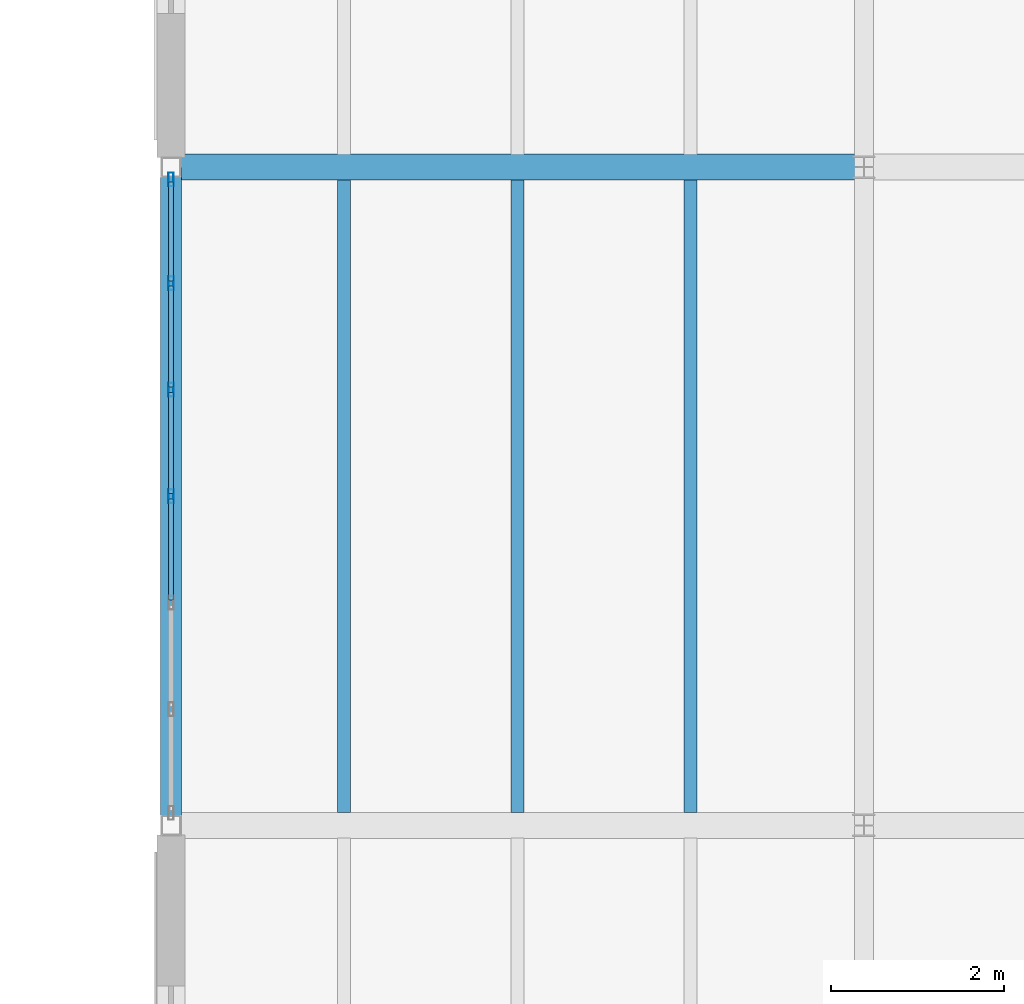
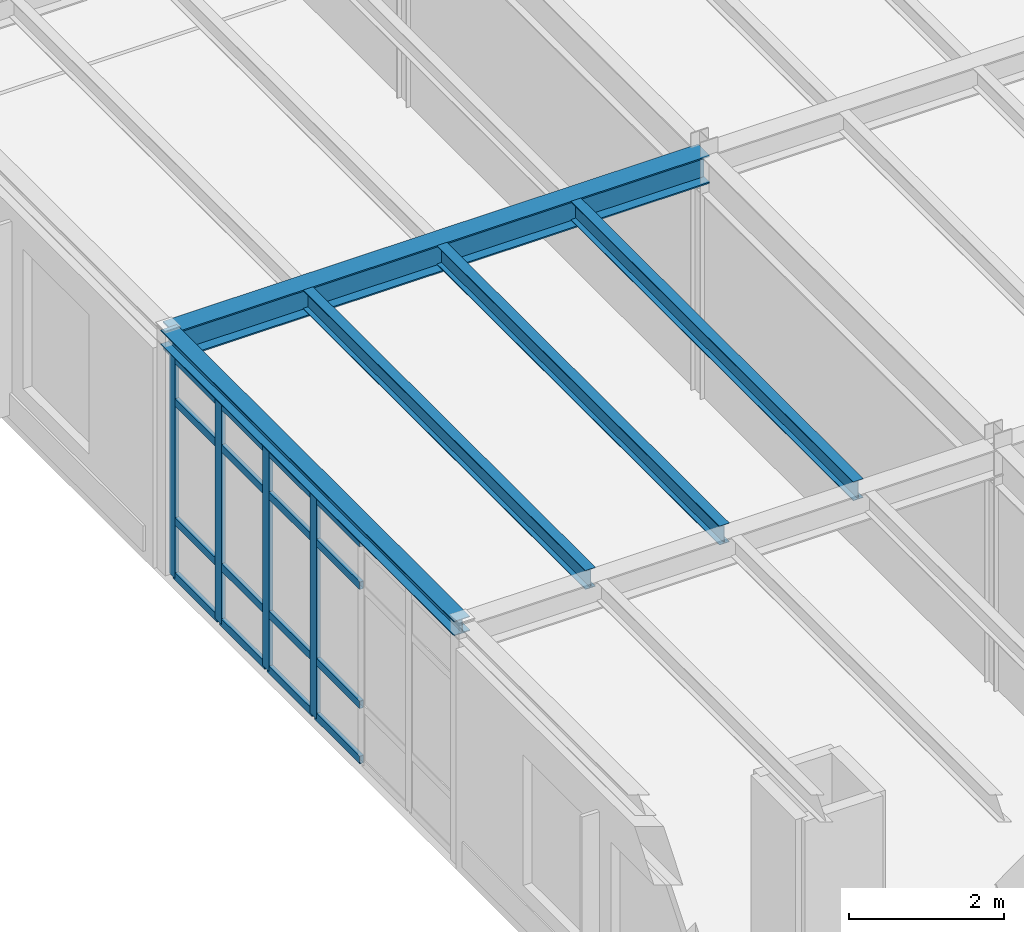
# One storey, part 55 of 114: 20 members, 5 beams, 1 element without a shape of its own.
"""IFC4 building model written with IfcOpenShell, lengths in metres."""

import ifcopenshell
import ifcopenshell.guid

model = None  # the IFC model being written
_history = None  # IfcOwnerHistory: only IFC2X3 demands one
_inside = {}  # id of a spatial element -> (the spatial element, [elements in it])
_under = {}  # id of a project, library or spatial element -> (it, [spatial elements below it])
_declared = {}  # id of a project -> (the project, [libraries it declares])
_typed = {}  # id of a type object -> (the type object, [elements of that type])
_made_of = {}  # id of a material, layer set ... -> (it, [elements and type objects made of it])


def new_model(schema):
    """Start an empty IFC model of exactly this schema.

    Asked for "IFC4X3", IfcOpenShell would pick the latest addendum, in which some entities
    have other attributes; the version numbers below select the first issue.
    IFC2X3 requires an IfcOwnerHistory on every rooted entity: one is made here for all.
    """
    global model, _history
    if schema == "IFC4X3":
        model = ifcopenshell.file(schema_version=(4, 3, 0, 0))
    else:
        model = ifcopenshell.file(schema=schema)
    _inside.clear()
    _under.clear()
    _declared.clear()
    _typed.clear()
    _made_of.clear()
    _history = None
    if model.schema == "IFC2X3":
        org = make("IfcOrganization", Name="unknown")
        user = make(
            "IfcPersonAndOrganization",
            ThePerson=make("IfcPerson", FamilyName="unknown"),
            TheOrganization=org,
        )
        app = make(
            "IfcApplication",
            ApplicationDeveloper=org,
            Version="unknown",
            ApplicationFullName="unknown",
            ApplicationIdentifier="unknown",
        )
        _history = make(
            "IfcOwnerHistory",
            OwningUser=user,
            OwningApplication=app,
            ChangeAction="ADDED",
            CreationDate=0,
        )
    return model


def make(cls, **values):
    """One entity of the class cls with the attributes given. An attribute that is None is left unset."""
    return model.create_entity(
        cls, **{name: value for name, value in values.items() if value is not None}
    )


def rooted(cls, **values):
    """An entity with a GlobalId (a new one), such as an element, a storey or a relation."""
    return make(cls, GlobalId=ifcopenshell.guid.new(), OwnerHistory=_history, **values)


def si_unit(unit_type, name, prefix=None):
    """IfcSIUnit, for example si_unit("LENGTHUNIT", "METRE", prefix="MILLI")."""
    return make("IfcSIUnit", UnitType=unit_type, Prefix=prefix, Name=name)


def assignment(units):
    """IfcUnitAssignment: the units of a project."""
    return None if units is None else make("IfcUnitAssignment", Units=units)


def point(xyz):
    """IfcCartesianPoint."""
    return None if xyz is None else make("IfcCartesianPoint", Coordinates=xyz)


def direction(xyz):
    """IfcDirection."""
    return None if xyz is None else make("IfcDirection", DirectionRatios=xyz)


def frame(location, z_axis=None, x_axis=None):
    """IfcAxis2Placement3D, a coordinate frame: its origin and axes. An axis left out is left unset."""
    return make(
        "IfcAxis2Placement3D",
        Location=point(location),
        Axis=direction(z_axis),
        RefDirection=direction(x_axis),
    )


def frame_2d(location, x_axis=None):
    """IfcAxis2Placement2D, a coordinate frame in the plane: its origin and x axis."""
    return make(
        "IfcAxis2Placement2D", Location=point(location), RefDirection=direction(x_axis)
    )


def origin():
    """The frame at (0, 0, 0) with its axes left unset."""
    return frame((0.0, 0.0, 0.0))


def origin_2d():
    """The frame at (0, 0) in the plane with its x axis left unset."""
    return frame_2d((0.0, 0.0))


def place(relative_to, where):
    """IfcLocalPlacement: puts the frame where relative to a parent placement (None: the world)."""
    return make(
        "IfcLocalPlacement", PlacementRelTo=relative_to, RelativePlacement=where
    )


def context(
    kind, dimensions, precision=None, world=None, true_north=None, identifier=None
):
    """IfcGeometricRepresentationContext, for example the 3D "Model" context."""
    return make(
        "IfcGeometricRepresentationContext",
        ContextIdentifier=identifier,
        ContextType=kind,
        CoordinateSpaceDimension=dimensions,
        Precision=precision,
        WorldCoordinateSystem=world,
        TrueNorth=true_north,
    )


def subcontext(parent, identifier, kind, view, scale=None):
    """IfcGeometricRepresentationSubContext, for example "Body" below "Model"."""
    return make(
        "IfcGeometricRepresentationSubContext",
        ContextIdentifier=identifier,
        ContextType=kind,
        ParentContext=parent,
        TargetScale=scale,
        TargetView=view,
    )


def project(units=None, contexts=None):
    """IfcProject with its units and contexts."""
    return rooted(
        "IfcProject",
        Name="project",
        RepresentationContexts=contexts,
        UnitsInContext=assignment(units),
    )


def spatial(cls, under=None, at=None, **own):
    """A site, building, storey or space (cls), placed at a placement, below another one or the project."""
    s = rooted(cls, ObjectPlacement=at, **own)
    if under is not None:
        _under.setdefault(under.id(), (under, []))[1].append(s)
    return s


def profile(cls, at=None, kind="AREA", **sizes):
    """A parametric profile (cls). Its sizes go by their IFC names, for example OverallWidth=200.0."""
    return make(cls, ProfileType=kind, Position=at, **sizes)


def hollow_rectangle(**sizes):
    """IfcRectangleHollowProfileDef."""
    return profile("IfcRectangleHollowProfileDef", **sizes)


def i_section(**sizes):
    """IfcIShapeProfileDef."""
    return profile("IfcIShapeProfileDef", **sizes)


def extrude(swept, where, along, depth):
    """IfcExtrudedAreaSolid: the profile swept, set in the frame where, extruded along a direction by depth."""
    return make(
        "IfcExtrudedAreaSolid",
        SweptArea=swept,
        Position=where,
        ExtrudedDirection=direction(along),
        Depth=depth,
    )


def shape(context_of_items, identifier, shape_type, items):
    """IfcShapeRepresentation: the items that make up one representation, for example the "Body"."""
    return make(
        "IfcShapeRepresentation",
        ContextOfItems=context_of_items,
        RepresentationIdentifier=identifier,
        RepresentationType=shape_type,
        Items=items,
    )


def material(Name=None, Category=None):
    """IfcMaterial."""
    return make("IfcMaterial", Name=Name, Category=Category)


def layer(
    of_material, thickness, ventilated=None, Name=None, Category=None, Priority=None
):
    """IfcMaterialLayer: one layer of a wall or slab, of a material (None: an air gap)."""
    return make(
        "IfcMaterialLayer",
        Material=of_material,
        LayerThickness=thickness,
        IsVentilated=ventilated,
        Name=Name,
        Category=Category,
        Priority=Priority,
    )


def layer_set(layers, Name=None):
    """IfcMaterialLayerSet."""
    return make("IfcMaterialLayerSet", MaterialLayers=layers, LayerSetName=Name)


def material_profile(
    of_material, cross_section, Name=None, Category=None, Priority=None
):
    """IfcMaterialProfile: a cross section and its material."""
    return make(
        "IfcMaterialProfile",
        Name=Name,
        Material=of_material,
        Profile=cross_section,
        Priority=Priority,
        Category=Category,
    )


def profile_set(profiles, Name=None, composite=None):
    """IfcMaterialProfileSet."""
    return make(
        "IfcMaterialProfileSet",
        Name=Name,
        MaterialProfiles=profiles,
        CompositeProfile=composite,
    )


def made_of(thing, what):
    """Note that an element or type object is made of a material, layer set ...; save() writes the relation."""
    if what is not None:
        _made_of.setdefault(what.id(), (what, []))[1].append(thing)
    return thing


def type_object(cls, material=None, **own):
    """A type object (cls), such as IfcWallType, which elements share."""
    return made_of(rooted(cls, **own), material)


def element(
    cls,
    number,
    at=None,
    inside=None,
    cuts=None,
    type_object=None,
    material=None,
    context=None,
    identifier="Body",
    shape_type=None,
    held_by="IfcProductDefinitionShape",
    body=None,
    shapes=None,
    **own,
):
    """One element of the class cls, such as IfcWall. Its Tag is "e" and its number.

    at: its placement. inside: the storey or other place that contains it. cuts: it is an
    opening in that element (IfcRelVoidsElement). A single representation is given by context,
    identifier, shape_type and body (its items); several are given by shapes. held_by: the class
    of the entity that holds the representations. save() writes the other relations.
    """
    e = rooted(cls, Tag="e%d" % number, ObjectPlacement=at, **own)
    if body is not None:
        shapes = [shape(context, identifier, shape_type, body)]
    if shapes is not None:
        e.Representation = make(held_by, Representations=shapes)
    if inside is not None:
        _inside.setdefault(inside.id(), (inside, []))[1].append(e)
    if cuts is not None:
        rooted(
            "IfcRelVoidsElement", RelatingBuildingElement=cuts, RelatedOpeningElement=e
        )
    if type_object is not None:
        _typed.setdefault(type_object.id(), (type_object, []))[1].append(e)
    return made_of(e, material)


def aggregate(whole, parts):
    """IfcRelAggregates: a whole, such as a stair, and the parts it consists of."""
    return rooted("IfcRelAggregates", RelatingObject=whole, RelatedObjects=parts)


def save(model, path):
    """Write the relations noted so far, then the file.

    IfcRelAggregates (storeys below a building ...), IfcRelContainedInSpatialStructure (elements
    in a storey), IfcRelDefinesByType, IfcRelAssociatesMaterial and IfcRelDeclares: one each for
    every whole, place, type object, material and project.
    """
    for whole, parts in _under.values():
        aggregate(whole, parts)
    for where, things in _inside.values():
        rooted(
            "IfcRelContainedInSpatialStructure",
            RelatedElements=things,
            RelatingStructure=where,
        )
    for kind, things in _typed.values():
        rooted("IfcRelDefinesByType", RelatedObjects=things, RelatingType=kind)
    for what, things in _made_of.values():
        rooted("IfcRelAssociatesMaterial", RelatedObjects=things, RelatingMaterial=what)
    for by, libraries in _declared.values():
        rooted("IfcRelDeclares", RelatingContext=by, RelatedDefinitions=libraries)
    model.write(path)


model = new_model("IFC4")

# Units and contexts
model_context = context("Model", 3, precision=1e-05, world=origin(), true_north=direction((0.0, 1.0)))
body_context = subcontext(model_context, "Body", "Model", "MODEL_VIEW")
ifc_project = project(units=[si_unit("LENGTHUNIT", "METRE"), si_unit("AREAUNIT", "SQUARE_METRE"), si_unit("VOLUMEUNIT", "CUBIC_METRE"), si_unit("PLANEANGLEUNIT", "RADIAN"), si_unit("MASSUNIT", "GRAM", prefix="KILO")], contexts=[model_context])

# Site, building, storey
site_placement = place(None, origin())
site = spatial("IfcSite", under=ifc_project, at=site_placement, CompositionType="ELEMENT")
building_placement = place(site_placement, origin())
building = spatial("IfcBuilding", under=site, at=building_placement, Name="Montecoro Central Library", CompositionType="ELEMENT")
storey_placement = place(building_placement, frame((0.0, 0.0, 13.260009765625)))
storey = spatial("IfcBuildingStorey", under=building, at=storey_placement, Name="L03", CompositionType="ELEMENT", Elevation=13.260009765625)

# Beams
ifc_material_1 = material(Name="Steel S355J2", Category="steel")
ifc_material_profile_1 = material_profile(ifc_material_1, i_section(OverallWidth=0.300048828125, OverallDepth=0.43994140625, WebThickness=0.011474609375, FlangeThickness=0.02099609375, at=origin_2d()), Name="HEA 450")
ifc_profile_set_1 = profile_set([ifc_material_profile_1], Name="Steel S355J2")
beam_type_1 = type_object("IfcBeamType", Name="BM-G-HEA450", PredefinedType="USERDEFINED", material=ifc_profile_set_1)
beam_1_placement = place(storey_placement, frame((141.0048828125, 20.199951171875, 3.60498046875), z_axis=(1.0, 0.0, 0.0), x_axis=(0.0, 1.0, 0.0)))
element("IfcBeam", 1, at=beam_1_placement, inside=storey, type_object=beam_type_1, Name="V6-L03-BX-1819-C", ObjectType="GIRDER", PredefinedType="USERDEFINED", context=body_context, shape_type="SweptSolid", body=[
    extrude(i_section(OverallWidth=0.300048828125, OverallDepth=0.43994140625, WebThickness=0.011474609375, FlangeThickness=0.02099609375, at=origin_2d()), origin(), (0.0, 0.0, 1.0), 7.990234375),
])
ifc_material_2 = material(Name="Steel S355", Category="steel")
ifc_material_profile_2 = material_profile(ifc_material_2, i_section(OverallWidth=0.14990234375, OverallDepth=0.300048828125, WebThickness=0.007080078125, FlangeThickness=0.0107421875, at=origin_2d()), Name="IPE 300")
ifc_profile_set_2 = profile_set([ifc_material_profile_2], Name="Steel S355")
beam_type_2 = type_object("IfcBeamType", Name="BM-J-IPE300", PredefinedType="JOIST", material=ifc_profile_set_2)
for number, where, z_axis, x_axis, name in (
    (2, (143.0, 12.7470703125, 3.675048828125), (0.0, 1.0, 0.0), (-1.0, 0.0, 0.0), "V6-L03-JS-1819-BC-1"),
    (3, (145.0, 12.7470703125, 3.675048828125), (0.0, 1.0, 0.0), (-1.0, 0.0, 0.0), "V6-L03-JS-1819-BC-2"),
    (4, (147.0, 12.7470703125, 3.675048828125), (0.0, 1.0, 0.0), (-1.0, 0.0, 0.0), "V6-L03-JS-1819-BC-3"),
):
    element("IfcBeam", number, at=place(storey_placement, frame(where, z_axis=z_axis, x_axis=x_axis)), inside=storey, type_object=beam_type_2, Name=name, PredefinedType="JOIST", context=body_context, shape_type="SweptSolid", body=[
        extrude(i_section(OverallWidth=0.14990234375, OverallDepth=0.300048828125, WebThickness=0.007080078125, FlangeThickness=0.0107421875, at=origin_2d()), origin(), (0.0, 0.0, 1.0), 7.305908203125),
    ])
ifc_material_profile_3 = material_profile(ifc_material_2, i_section(OverallWidth=0.239990234375, OverallDepth=0.22998046875, WebThickness=0.007568359375, FlangeThickness=0.011962890625, at=origin_2d()), Name="HEA 240")
ifc_profile_set_3 = profile_set([ifc_material_profile_3], Name="Steel S355")
beam_type_3 = type_object("IfcBeamType", Name="BM-SP-HEA240", PredefinedType="SPANDREL", material=ifc_profile_set_3)
beam_2_placement = place(storey_placement, frame((141.0, 12.60498046875, 3.7099609375), z_axis=(0.0, 1.0, 0.0), x_axis=(-1.0, 0.0, 0.0)))
element("IfcBeam", 5, at=beam_2_placement, inside=storey, type_object=beam_type_3, Name="V6-L03-BY-18-BC", PredefinedType="SPANDREL", context=body_context, shape_type="SweptSolid", body=[
    extrude(i_section(OverallWidth=0.239990234375, OverallDepth=0.22998046875, WebThickness=0.007568359375, FlangeThickness=0.011962890625, at=origin_2d()), origin(), (0.0, 0.0, 1.0), 7.590087890625),
])

# Curtain wall, members
ifc_material_3 = material(Name="Bronze-anodised aluminium and low-E glazing", Category="aluminium")
ifc_layer = layer(ifc_material_3, 0.159912109375)
ifc_layer_set = layer_set([ifc_layer], Name="Bronze-anodised aluminium and low-E glazing")
curtain_wall_type = type_object("IfcCurtainWallType", Name="CWT-071", PredefinedType="NOTDEFINED", material=ifc_layer_set)
curtain_wall_placement = place(storey_placement, origin())
curtain_wall = element("IfcCurtainWall", 6, at=curtain_wall_placement, inside=storey, type_object=curtain_wall_type, Name="V6-L03-CW-W1", PredefinedType="NOTDEFINED")
ifc_material_4 = material(Name="Bronze-anodised aluminium", Category="aluminium")
ifc_material_profile_4 = material_profile(ifc_material_4, hollow_rectangle(XDim=0.06005859375, YDim=0.159912109375, WallThickness=0.00390625, at=origin_2d()), Name="CWM 160x60x4.0")
ifc_profile_set_4 = profile_set([ifc_material_profile_4], Name="Bronze-anodised aluminium")
member_type_1 = type_object("IfcMemberType", Name="CWM-BRZ-60", PredefinedType="MULLION", material=ifc_profile_set_4)
member_1_placement = place(storey_placement, frame((141.0, 20.056884765625, 0.0), z_axis=(0.0, 0.0, 1.0), x_axis=(1.0, 0.0, 0.0)))
member_1 = element("IfcMember", 7, at=member_1_placement, type_object=member_type_1, Name="CW-071 mullion 1", PredefinedType="MULLION", context=body_context, shape_type="SweptSolid", body=[
    extrude(hollow_rectangle(XDim=0.06005859375, YDim=0.159912109375, WallThickness=0.00390625, at=origin_2d()), origin(), (0.0, 0.0, 1.0), 3.47998046875),
])
member_2_placement = place(storey_placement, frame((141.0, 18.85791015625, 0.0), z_axis=(0.0, 0.0, 1.0), x_axis=(1.0, 0.0, 0.0)))
member_2 = element("IfcMember", 8, at=member_2_placement, type_object=member_type_1, Name="CW-071 mullion 2", PredefinedType="MULLION", context=body_context, shape_type="SweptSolid", body=[
    extrude(hollow_rectangle(XDim=0.06005859375, YDim=0.159912109375, WallThickness=0.00390625, at=origin_2d()), origin(), (0.0, 0.0, 1.0), 3.47998046875),
])
member_3_placement = place(storey_placement, frame((141.0, 17.62890625, 0.0), z_axis=(0.0, 0.0, 1.0), x_axis=(1.0, 0.0, 0.0)))
member_3 = element("IfcMember", 9, at=member_3_placement, type_object=member_type_1, Name="CW-071 mullion 3", PredefinedType="MULLION", context=body_context, shape_type="SweptSolid", body=[
    extrude(hollow_rectangle(XDim=0.06005859375, YDim=0.159912109375, WallThickness=0.00390625, at=origin_2d()), origin(), (0.0, 0.0, 1.0), 3.47998046875),
])
member_4_placement = place(storey_placement, frame((141.0, 16.39990234375, 0.0), z_axis=(0.0, 0.0, 1.0), x_axis=(1.0, 0.0, 0.0)))
member_4 = element("IfcMember", 10, at=member_4_placement, type_object=member_type_1, Name="CW-071 mullion 4", PredefinedType="MULLION", context=body_context, shape_type="SweptSolid", body=[
    extrude(hollow_rectangle(XDim=0.06005859375, YDim=0.159912109375, WallThickness=0.00390625, at=origin_2d()), origin(), (0.0, 0.0, 1.0), 3.47998046875),
])
ifc_material_profile_5 = material_profile(ifc_material_4, hollow_rectangle(XDim=0.06005859375, YDim=0.1201171875, WallThickness=0.00390625, at=origin_2d()), Name="CWT 120x60x4.0")
ifc_profile_set_5 = profile_set([ifc_material_profile_5], Name="Bronze-anodised aluminium")
member_type_2 = type_object("IfcMemberType", Name="CWT-BRZ-60", PredefinedType="USERDEFINED", material=ifc_profile_set_5)
member_5_placement = place(storey_placement, frame((141.0, 20.027099609375, 0.030029296875), z_axis=(0.0, -1.0, 0.0), x_axis=(1.0, 0.0, 0.0)))
member_5 = element("IfcMember", 11, at=member_5_placement, type_object=member_type_2, Name="CW-071 transom 1.1", ObjectType="TRANSOM", PredefinedType="USERDEFINED", context=body_context, shape_type="SweptSolid", body=[
    extrude(hollow_rectangle(XDim=0.06005859375, YDim=0.1201171875, WallThickness=0.00390625, at=origin_2d()), origin(), (0.0, 0.0, 1.0), 1.13916015625),
])
member_6_placement = place(storey_placement, frame((141.0, 20.027099609375, 0.89990234375), z_axis=(0.0, -1.0, 0.0), x_axis=(1.0, 0.0, 0.0)))
member_6 = element("IfcMember", 12, at=member_6_placement, type_object=member_type_2, Name="CW-071 transom 1.2", ObjectType="TRANSOM", PredefinedType="USERDEFINED", context=body_context, shape_type="SweptSolid", body=[
    extrude(hollow_rectangle(XDim=0.06005859375, YDim=0.1201171875, WallThickness=0.00390625, at=origin_2d()), origin(), (0.0, 0.0, 1.0), 1.13916015625),
])
member_7_placement = place(storey_placement, frame((141.0, 20.027099609375, 2.780029296875), z_axis=(0.0, -1.0, 0.0), x_axis=(1.0, 0.0, 0.0)))
member_7 = element("IfcMember", 13, at=member_7_placement, type_object=member_type_2, Name="CW-071 transom 1.3", ObjectType="TRANSOM", PredefinedType="USERDEFINED", context=body_context, shape_type="SweptSolid", body=[
    extrude(hollow_rectangle(XDim=0.06005859375, YDim=0.1201171875, WallThickness=0.00390625, at=origin_2d()), origin(), (0.0, 0.0, 1.0), 1.13916015625),
])
member_8_placement = place(storey_placement, frame((141.0, 20.027099609375, 3.449951171875), z_axis=(0.0, -1.0, 0.0), x_axis=(1.0, 0.0, 0.0)))
member_8 = element("IfcMember", 14, at=member_8_placement, type_object=member_type_2, Name="CW-071 transom 1.4", ObjectType="TRANSOM", PredefinedType="USERDEFINED", context=body_context, shape_type="SweptSolid", body=[
    extrude(hollow_rectangle(XDim=0.06005859375, YDim=0.1201171875, WallThickness=0.00390625, at=origin_2d()), origin(), (0.0, 0.0, 1.0), 1.13916015625),
])
member_9_placement = place(storey_placement, frame((141.0, 18.827880859375, 0.030029296875), z_axis=(0.0, -1.0, 0.0), x_axis=(1.0, 0.0, 0.0)))
member_9 = element("IfcMember", 15, at=member_9_placement, type_object=member_type_2, Name="CW-071 transom 2.1", ObjectType="TRANSOM", PredefinedType="USERDEFINED", context=body_context, shape_type="SweptSolid", body=[
    extrude(hollow_rectangle(XDim=0.06005859375, YDim=0.1201171875, WallThickness=0.00390625, at=origin_2d()), origin(), (0.0, 0.0, 1.0), 1.1689453125),
])
member_10_placement = place(storey_placement, frame((141.0, 18.827880859375, 0.89990234375), z_axis=(0.0, -1.0, 0.0), x_axis=(1.0, 0.0, 0.0)))
member_10 = element("IfcMember", 16, at=member_10_placement, type_object=member_type_2, Name="CW-071 transom 2.2", ObjectType="TRANSOM", PredefinedType="USERDEFINED", context=body_context, shape_type="SweptSolid", body=[
    extrude(hollow_rectangle(XDim=0.06005859375, YDim=0.1201171875, WallThickness=0.00390625, at=origin_2d()), origin(), (0.0, 0.0, 1.0), 1.1689453125),
])
member_11_placement = place(storey_placement, frame((141.0, 18.827880859375, 2.780029296875), z_axis=(0.0, -1.0, 0.0), x_axis=(1.0, 0.0, 0.0)))
member_11 = element("IfcMember", 17, at=member_11_placement, type_object=member_type_2, Name="CW-071 transom 2.3", ObjectType="TRANSOM", PredefinedType="USERDEFINED", context=body_context, shape_type="SweptSolid", body=[
    extrude(hollow_rectangle(XDim=0.06005859375, YDim=0.1201171875, WallThickness=0.00390625, at=origin_2d()), origin(), (0.0, 0.0, 1.0), 1.1689453125),
])
member_12_placement = place(storey_placement, frame((141.0, 18.827880859375, 3.449951171875), z_axis=(0.0, -1.0, 0.0), x_axis=(1.0, 0.0, 0.0)))
member_12 = element("IfcMember", 18, at=member_12_placement, type_object=member_type_2, Name="CW-071 transom 2.4", ObjectType="TRANSOM", PredefinedType="USERDEFINED", context=body_context, shape_type="SweptSolid", body=[
    extrude(hollow_rectangle(XDim=0.06005859375, YDim=0.1201171875, WallThickness=0.00390625, at=origin_2d()), origin(), (0.0, 0.0, 1.0), 1.1689453125),
])
member_13_placement = place(storey_placement, frame((141.0, 17.59912109375, 0.030029296875), z_axis=(0.0, -1.0, 0.0), x_axis=(1.0, 0.0, 0.0)))
member_13 = element("IfcMember", 19, at=member_13_placement, type_object=member_type_2, Name="CW-071 transom 3.1", ObjectType="TRANSOM", PredefinedType="USERDEFINED", context=body_context, shape_type="SweptSolid", body=[
    extrude(hollow_rectangle(XDim=0.06005859375, YDim=0.1201171875, WallThickness=0.00390625, at=origin_2d()), origin(), (0.0, 0.0, 1.0), 1.169189453125),
])
member_14_placement = place(storey_placement, frame((141.0, 17.59912109375, 0.89990234375), z_axis=(0.0, -1.0, 0.0), x_axis=(1.0, 0.0, 0.0)))
member_14 = element("IfcMember", 20, at=member_14_placement, type_object=member_type_2, Name="CW-071 transom 3.2", ObjectType="TRANSOM", PredefinedType="USERDEFINED", context=body_context, shape_type="SweptSolid", body=[
    extrude(hollow_rectangle(XDim=0.06005859375, YDim=0.1201171875, WallThickness=0.00390625, at=origin_2d()), origin(), (0.0, 0.0, 1.0), 1.169189453125),
])
member_15_placement = place(storey_placement, frame((141.0, 17.59912109375, 2.780029296875), z_axis=(0.0, -1.0, 0.0), x_axis=(1.0, 0.0, 0.0)))
member_15 = element("IfcMember", 21, at=member_15_placement, type_object=member_type_2, Name="CW-071 transom 3.3", ObjectType="TRANSOM", PredefinedType="USERDEFINED", context=body_context, shape_type="SweptSolid", body=[
    extrude(hollow_rectangle(XDim=0.06005859375, YDim=0.1201171875, WallThickness=0.00390625, at=origin_2d()), origin(), (0.0, 0.0, 1.0), 1.169189453125),
])
member_16_placement = place(storey_placement, frame((141.0, 17.59912109375, 3.449951171875), z_axis=(0.0, -1.0, 0.0), x_axis=(1.0, 0.0, 0.0)))
member_16 = element("IfcMember", 22, at=member_16_placement, type_object=member_type_2, Name="CW-071 transom 3.4", ObjectType="TRANSOM", PredefinedType="USERDEFINED", context=body_context, shape_type="SweptSolid", body=[
    extrude(hollow_rectangle(XDim=0.06005859375, YDim=0.1201171875, WallThickness=0.00390625, at=origin_2d()), origin(), (0.0, 0.0, 1.0), 1.169189453125),
])
member_17_placement = place(storey_placement, frame((141.0, 16.3701171875, 0.030029296875), z_axis=(0.0, -1.0, 0.0), x_axis=(1.0, 0.0, 0.0)))
member_17 = element("IfcMember", 23, at=member_17_placement, type_object=member_type_2, Name="CW-071 transom 4.1", ObjectType="TRANSOM", PredefinedType="USERDEFINED", context=body_context, shape_type="SweptSolid", body=[
    extrude(hollow_rectangle(XDim=0.06005859375, YDim=0.1201171875, WallThickness=0.00390625, at=origin_2d()), origin(), (0.0, 0.0, 1.0), 1.169189453125),
])
member_18_placement = place(storey_placement, frame((141.0, 16.3701171875, 0.89990234375), z_axis=(0.0, -1.0, 0.0), x_axis=(1.0, 0.0, 0.0)))
member_18 = element("IfcMember", 24, at=member_18_placement, type_object=member_type_2, Name="CW-071 transom 4.2", ObjectType="TRANSOM", PredefinedType="USERDEFINED", context=body_context, shape_type="SweptSolid", body=[
    extrude(hollow_rectangle(XDim=0.06005859375, YDim=0.1201171875, WallThickness=0.00390625, at=origin_2d()), origin(), (0.0, 0.0, 1.0), 1.169189453125),
])
member_19_placement = place(storey_placement, frame((141.0, 16.3701171875, 2.780029296875), z_axis=(0.0, -1.0, 0.0), x_axis=(1.0, 0.0, 0.0)))
member_19 = element("IfcMember", 25, at=member_19_placement, type_object=member_type_2, Name="CW-071 transom 4.3", ObjectType="TRANSOM", PredefinedType="USERDEFINED", context=body_context, shape_type="SweptSolid", body=[
    extrude(hollow_rectangle(XDim=0.06005859375, YDim=0.1201171875, WallThickness=0.00390625, at=origin_2d()), origin(), (0.0, 0.0, 1.0), 1.169189453125),
])
member_20_placement = place(storey_placement, frame((141.0, 16.3701171875, 3.449951171875), z_axis=(0.0, -1.0, 0.0), x_axis=(1.0, 0.0, 0.0)))
member_20 = element("IfcMember", 26, at=member_20_placement, type_object=member_type_2, Name="CW-071 transom 4.4", ObjectType="TRANSOM", PredefinedType="USERDEFINED", context=body_context, shape_type="SweptSolid", body=[
    extrude(hollow_rectangle(XDim=0.06005859375, YDim=0.1201171875, WallThickness=0.00390625, at=origin_2d()), origin(), (0.0, 0.0, 1.0), 1.169189453125),
])
aggregate(curtain_wall, [member_1, member_2, member_3, member_4, member_5, member_6, member_7, member_8, member_9, member_10, member_11, member_12, member_13, member_14, member_15, member_16, member_17, member_18, member_19, member_20])

save(model, "model.ifc")
